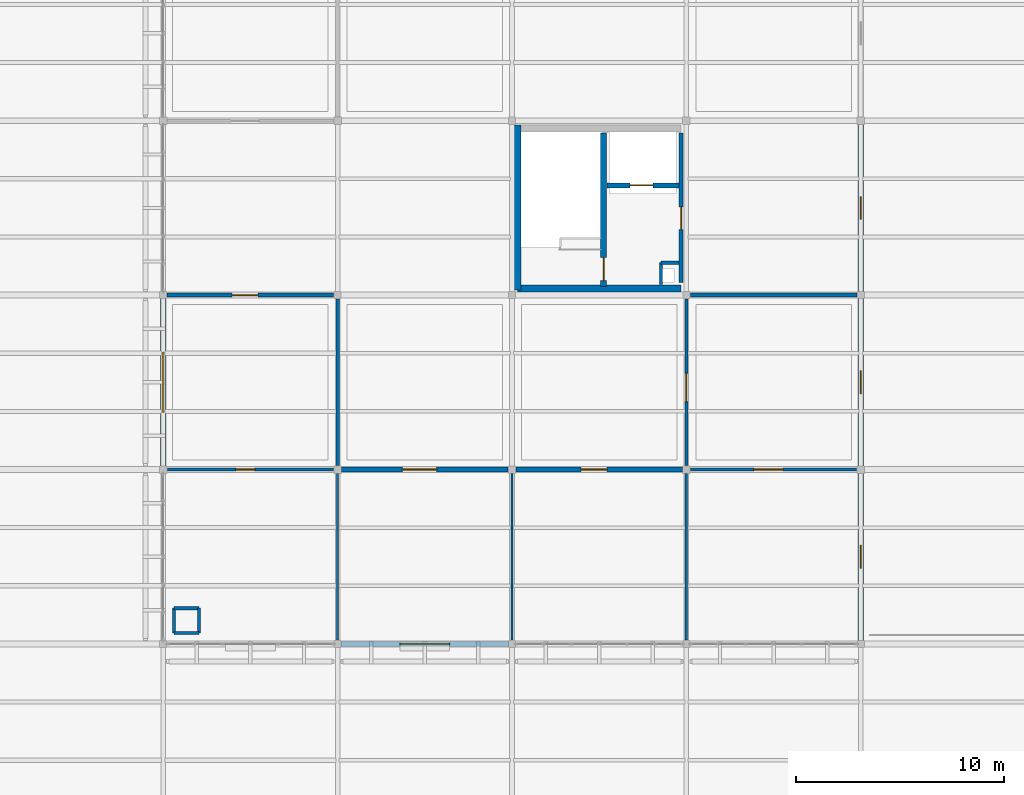
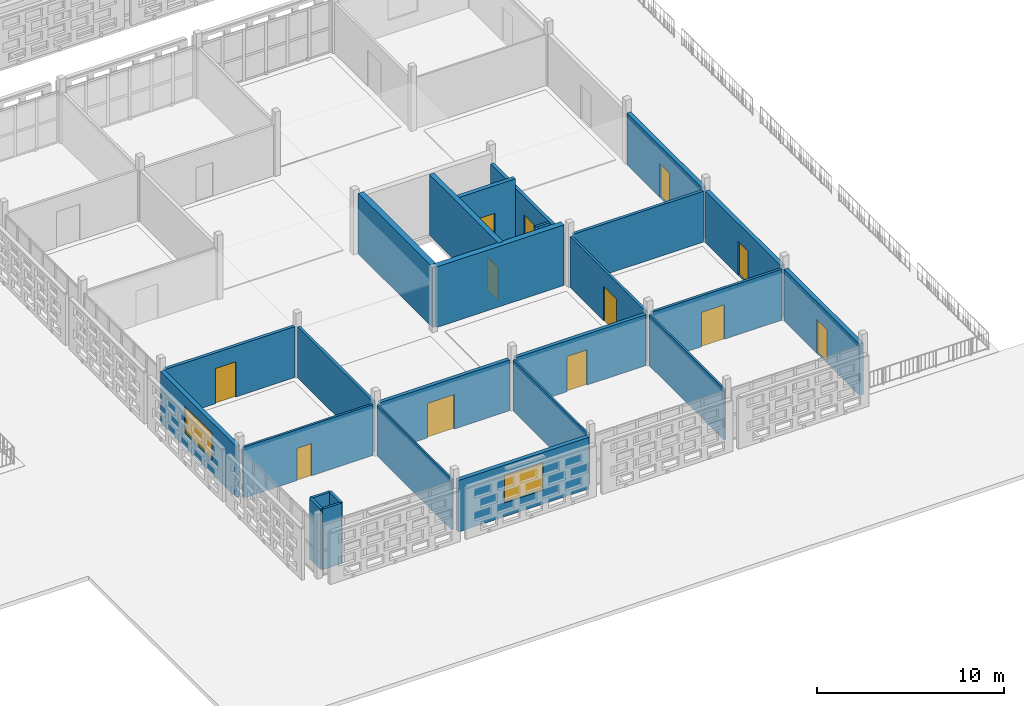
# One storey, part 103 of 166: 27 walls, 12 doors, 2 windows, 14 openings.
"""IFC4 building model written with IfcOpenShell, lengths in metres."""

from ifc_helpers import new_model, si_unit, direction, frame, frame_2d, origin, place, context, subcontext, project, spatial, rectangle, extrude, material, layer, layer_set, type_object, element, fill, save


model = new_model("IFC4")

# Units and contexts
model_context = context("Model", 3, precision=1e-05, world=origin(), true_north=direction((0.0, 1.0)))
body_context = subcontext(model_context, "Body", "Model", "MODEL_VIEW")
ifc_project = project(units=[si_unit("LENGTHUNIT", "METRE"), si_unit("AREAUNIT", "SQUARE_METRE"), si_unit("VOLUMEUNIT", "CUBIC_METRE"), si_unit("PLANEANGLEUNIT", "RADIAN"), si_unit("MASSUNIT", "GRAM", prefix="KILO")], contexts=[model_context])

# Site, building, storey
site_placement = place(None, origin())
site = spatial("IfcSite", under=ifc_project, at=site_placement, CompositionType="ELEMENT")
building_placement = place(site_placement, origin())
building = spatial("IfcBuilding", under=site, at=building_placement, Name="Varnapada Polytechnic", CompositionType="ELEMENT")
storey_placement = place(building_placement, frame((0.0, 0.0, 9.60009765625)))
storey = spatial("IfcBuildingStorey", under=building, at=storey_placement, Name="L02", CompositionType="ELEMENT", Elevation=9.60009765625)

# Wall, opening, door
ifc_material_1 = material(Name="Autoclaved Aerated Concrete Block AAC-600", Category="concrete")
ifc_layer_1 = layer(ifc_material_1, 0.199951171875)
ifc_layer_set_1 = layer_set([ifc_layer_1], Name="Autoclaved Aerated Concrete Block AAC-600")
wall_type_1 = type_object("IfcWallType", Name="Interior Wall IW-01", PredefinedType="PARTITIONING", material=ifc_layer_set_1)
wall_1_placement = place(storey_placement, frame((159.340087890625, 33.0, 0.0), z_axis=(0.0, 0.0, 1.0), x_axis=(0.0, -1.0, 0.0)))
wall_1 = element("IfcWall", 1, at=wall_1_placement, inside=storey, type_object=wall_type_1, Name="L02 C6 firefighting lobby east wall", PredefinedType="PARTITIONING", context=body_context, shape_type="SweptSolid", body=[
    extrude(rectangle(XDim=7.199951171875, YDim=0.199951171875, at=frame_2d((3.60009765625, 0.0))), origin(), (0.0, 0.0, 1.0), 3.31982421875),
])
opening_1_placement = place(wall_1_placement, frame((3.550048828125, 0.0, 0.0)))
opening_1 = element("IfcOpeningElement", 2, at=opening_1_placement, cuts=wall_1, Name="Opening D-1092", PredefinedType="OPENING", context=body_context, shape_type="SweptSolid", body=[
    extrude(rectangle(XDim=1.10009765625, YDim=2.14990234375, at=frame_2d((0.550048828125, 1.074951171875))), frame((0.0, 0.10986328125, 0.0), z_axis=(0.0, -1.0, 0.0), x_axis=(1.0, 0.0, 0.0)), (0.0, 0.0, 1.0), 0.219970703125),
])
ifc_material_2 = material(Name="Galvanized Steel Z275", Category="steel")
door_type_1 = type_object("IfcDoorType", Name="Interior Door ID-01", OperationType="NOTDEFINED", PredefinedType="DOOR", material=ifc_material_2)
door_1_placement = place(opening_1_placement, frame((1.10009765625, 0.0, 0.0), z_axis=(0.0, 0.0, 1.0), x_axis=(-1.0, 0.0, 0.0)))
door_1 = element("IfcDoor", 3, at=door_1_placement, inside=storey, type_object=door_type_1, Name="L02 C6 lobby fire door D-1092", OperationType="SINGLE_SWING_RIGHT", OverallHeight=2.14990234375, OverallWidth=1.10009765625, PredefinedType="DOOR", context=body_context, shape_type="SweptSolid", body=[
    extrude(rectangle(XDim=1.10009765625, YDim=2.14990234375, at=frame_2d((0.550048828125, 1.074951171875))), frame((0.0, 0.02490234375, 0.0), z_axis=(0.0, -1.0, 0.0), x_axis=(1.0, 0.0, 0.0)), (0.0, 0.0, 1.0), 0.050048828125),
])
fill(opening_1, door_1)

# Walls
ifc_layer_2 = layer(ifc_material_1, 0.14990234375)
ifc_layer_set_2 = layer_set([ifc_layer_2], Name="Autoclaved Aerated Concrete Block AAC-600")
wall_type_2 = type_object("IfcWallType", Name="Interior Wall IW-02", PredefinedType="PARTITIONING", material=ifc_layer_set_2)
wall_2_placement = place(storey_placement, frame((158.3798828125, 26.760009765625, 0.0), z_axis=(0.0, 0.0, 1.0), x_axis=(0.0, -1.0, 0.0)))
element("IfcWall", 4, at=wall_2_placement, inside=storey, type_object=wall_type_2, Name="L02 C6 riser shaft west wall", PredefinedType="PARTITIONING", context=body_context, shape_type="SweptSolid", body=[
    extrude(rectangle(XDim=1.06005859375, YDim=0.14990234375, at=frame_2d((0.530029296875, 0.0))), origin(), (0.0, 0.0, 1.0), 3.31982421875),
])
wall_3_placement = place(storey_placement, frame((158.3798828125, 26.760009765625, 0.0), z_axis=(0.0, 0.0, 1.0), x_axis=(1.0, 0.0, 0.0)))
element("IfcWall", 5, at=wall_3_placement, inside=storey, type_object=wall_type_2, Name="L02 C6 riser shaft north wall", PredefinedType="PARTITIONING", context=body_context, shape_type="SweptSolid", body=[
    extrude(rectangle(XDim=0.860107421875, YDim=0.14990234375, at=frame_2d((0.43017578125, 0.0))), origin(), (0.0, 0.0, 1.0), 3.31982421875),
])
for number, where, z_axis, x_axis, name in (
    (6, (134.919921875, 8.919921875, 0.0), (0.0, 0.0, 1.0), (1.0, 0.0, 0.0), "L02 enclosed service riser wall (17,2) S"),
    (7, (136.1201171875, 8.919921875, 0.0), (0.0, 0.0, 1.0), (0.0, 1.0, 0.0), "L02 enclosed service riser wall (17,2) E"),
    (8, (136.1201171875, 10.1201171875, 0.0), (0.0, 0.0, 1.0), (-1.0, 0.0, 0.0), "L02 enclosed service riser wall (17,2) N"),
    (9, (134.919921875, 10.1201171875, 0.0), (0.0, 0.0, 1.0), (0.0, -1.0, 0.0), "L02 enclosed service riser wall (17,2) W"),
):
    element("IfcWall", number, at=place(storey_placement, frame(where, z_axis=z_axis, x_axis=x_axis)), inside=storey, type_object=wall_type_2, Name=name, PredefinedType="PARTITIONING", context=body_context, shape_type="SweptSolid", body=[
        extrude(rectangle(XDim=1.2001953125, YDim=0.14990234375, at=frame_2d((0.60009765625, 0.0))), origin(), (0.0, 0.0, 1.0), 3.949951171875),
    ])

# Wall, opening, door
ifc_material_3 = material(Name="Cross-laminated timber CLT C24", Category="wood")
ifc_layer_3 = layer(ifc_material_3, 0.159912109375)
ifc_layer_set_3 = layer_set([ifc_layer_3], Name="Cross-laminated timber CLT C24")
wall_type_3 = type_object("IfcWallType", Name="Interior Wall IW-05", PredefinedType="PARTITIONING", material=ifc_layer_set_3)
wall_4_placement = place(storey_placement, frame((159.800048828125, 16.800048828125, 0.0), z_axis=(0.0, 0.0, 1.0), x_axis=(1.0, 0.0, 0.0)))
wall_4 = element("IfcWall", 10, at=wall_4_placement, inside=storey, type_object=wall_type_3, Name="L02 interior partition IW-L02-19-01-H", PredefinedType="PARTITIONING", context=body_context, shape_type="SweptSolid", body=[
    extrude(rectangle(XDim=8.0, YDim=0.159912109375, at=frame_2d((4.0, 0.0))), origin(), (0.0, 0.0, 1.0), 3.31982421875),
])
opening_2_placement = place(wall_4_placement, frame((3.050048828125, 0.0, 0.0)))
opening_2 = element("IfcOpeningElement", 11, at=opening_2_placement, cuts=wall_4, Name="Opening D-1177", PredefinedType="OPENING", context=body_context, shape_type="SweptSolid", body=[
    extrude(rectangle(XDim=1.39990234375, YDim=2.25, at=frame_2d((0.699951171875, 1.125))), frame((0.0, 0.08984375, 0.0), z_axis=(0.0, -1.0, 0.0), x_axis=(1.0, 0.0, 0.0)), (0.0, 0.0, 1.0), 0.179931640625),
])
ifc_material_4 = material(Name="Powder-Coated Aluminium 6063-T6", Category="aluminium")
door_type_2 = type_object("IfcDoorType", Name="Interior Door ID-06", OperationType="NOTDEFINED", PredefinedType="DOOR", material=ifc_material_4)
door_2_placement = place(opening_2_placement, origin())
door_2 = element("IfcDoor", 12, at=door_2_placement, inside=storey, type_object=door_type_2, Name="L02 interior room door D-1177", OperationType="SINGLE_SWING_RIGHT", OverallHeight=2.25, OverallWidth=1.39990234375, PredefinedType="DOOR", context=body_context, shape_type="SweptSolid", body=[
    extrude(rectangle(XDim=1.39990234375, YDim=2.25, at=frame_2d((0.699951171875, 1.125))), frame((0.0, 0.02490234375, 0.0), z_axis=(0.0, -1.0, 0.0), x_axis=(1.0, 0.0, 0.0)), (0.0, 0.0, 1.0), 0.050048828125),
])
fill(opening_2, door_2)

# Walls
ifc_material_5 = material(Name="Acoustic Double-Stud Studio Partition")
ifc_layer_4 = layer(ifc_material_5, 0.179931640625)
ifc_layer_set_4 = layer_set([ifc_layer_4], Name="Acoustic Double-Stud Studio Partition")
wall_type_4 = type_object("IfcWallType", Name="Interior Wall IW-06", PredefinedType="PARTITIONING", material=ifc_layer_set_4)
wall_5_placement = place(storey_placement, frame((159.7900390625, 25.199951171875, 0.0), z_axis=(0.0, 0.0, 1.0), x_axis=(1.0, 0.0, 0.0)))
element("IfcWall", 13, at=wall_5_placement, inside=storey, type_object=wall_type_4, Name="L02 interior partition IW-L02-19-02-H", PredefinedType="PARTITIONING", context=body_context, shape_type="SweptSolid", body=[
    extrude(rectangle(XDim=8.02001953125, YDim=0.179931640625, at=frame_2d((4.010009765625, 0.0))), origin(), (0.0, 0.0, 1.0), 3.31982421875),
])
ifc_material_6 = material(Name="Operable Acoustic Seminar Partition")
ifc_layer_5 = layer(ifc_material_6, 0.10009765625)
ifc_layer_set_5 = layer_set([ifc_layer_5], Name="Operable Acoustic Seminar Partition")
wall_type_5 = type_object("IfcWallType", Name="Interior Wall IW-08", PredefinedType="MOVABLE", material=ifc_layer_set_5)
wall_6_placement = place(storey_placement, frame((142.800048828125, 8.590087890625, 0.0), z_axis=(0.0, 0.0, 1.0), x_axis=(0.0, 1.0, 0.0)))
element("IfcWall", 14, at=wall_6_placement, inside=storey, type_object=wall_type_5, Name="L02 interior partition IW-L02-16-01-V", PredefinedType="MOVABLE", context=body_context, shape_type="SweptSolid", body=[
    extrude(rectangle(XDim=8.010009765625, YDim=0.10009765625, at=frame_2d((4.0048828125, 0.0))), origin(), (0.0, 0.0, 1.0), 3.31982421875),
])

# Wall, opening, door
ifc_material_7 = material(Name="Calcium Silicate Acoustic Lab Partition")
ifc_layer_6 = layer(ifc_material_7, 0.135009765625)
ifc_layer_set_6 = layer_set([ifc_layer_6], Name="Calcium Silicate Acoustic Lab Partition")
wall_type_6 = type_object("IfcWallType", Name="Interior Wall IW-09", PredefinedType="PARTITIONING", material=ifc_layer_set_6)
wall_7_placement = place(storey_placement, frame((134.60009765625, 16.800048828125, 0.0), z_axis=(0.0, 0.0, 1.0), x_axis=(1.0, 0.0, 0.0)))
wall_7 = element("IfcWall", 15, at=wall_7_placement, inside=storey, type_object=wall_type_6, Name="L02 interior partition IW-L02-16-01-H", PredefinedType="PARTITIONING", context=body_context, shape_type="SweptSolid", body=[
    extrude(rectangle(XDim=8.0, YDim=0.135009765625, at=frame_2d((4.0, 0.0))), origin(), (0.0, 0.0, 1.0), 3.31982421875),
])
opening_3_placement = place(wall_7_placement, frame((3.300048828125, 0.0, 0.0)))
opening_3 = element("IfcOpeningElement", 16, at=opening_3_placement, cuts=wall_7, Name="Opening D-1152", PredefinedType="OPENING", context=body_context, shape_type="SweptSolid", body=[
    extrude(rectangle(XDim=0.89990234375, YDim=2.10009765625, at=frame_2d((0.449951171875, 1.050048828125))), frame((0.0, 0.077392578125, 0.0), z_axis=(0.0, -1.0, 0.0), x_axis=(1.0, 0.0, 0.0)), (0.0, 0.0, 1.0), 0.155029296875),
])
ifc_material_8 = material(Name="Moisture-Resistant HPL Timber", Category="wood")
door_type_3 = type_object("IfcDoorType", Name="Interior Door ID-15", OperationType="NOTDEFINED", PredefinedType="DOOR", material=ifc_material_8)
door_3_placement = place(opening_3_placement, origin())
door_3 = element("IfcDoor", 17, at=door_3_placement, inside=storey, type_object=door_type_3, Name="L02 interior room door D-1152", OperationType="SINGLE_SWING_LEFT", OverallHeight=2.10009765625, OverallWidth=0.89990234375, PredefinedType="DOOR", context=body_context, shape_type="SweptSolid", body=[
    extrude(rectangle(XDim=0.89990234375, YDim=2.10009765625, at=frame_2d((0.449951171875, 1.050048828125))), frame((0.0, 0.02490234375, 0.0), z_axis=(0.0, -1.0, 0.0), x_axis=(1.0, 0.0, 0.0)), (0.0, 0.0, 1.0), 0.050048828125),
])
fill(opening_3, door_3)

# Wall
ifc_material_9 = material(Name="Double-Layer Fireboard Workshop Wall")
ifc_layer_7 = layer(ifc_material_9, 0.169921875)
ifc_layer_set_7 = layer_set([ifc_layer_7], Name="Double-Layer Fireboard Workshop Wall")
wall_type_7 = type_object("IfcWallType", Name="Interior Wall IW-10", PredefinedType="PARTITIONING", material=ifc_layer_set_7)
wall_8_placement = place(storey_placement, frame((142.800048828125, 17.0, 0.0), z_axis=(0.0, 0.0, 1.0), x_axis=(0.0, 1.0, 0.0)))
element("IfcWall", 18, at=wall_8_placement, inside=storey, type_object=wall_type_7, Name="L02 interior partition IW-L02-16-02-V", PredefinedType="PARTITIONING", context=body_context, shape_type="SweptSolid", body=[
    extrude(rectangle(XDim=8.010009765625, YDim=0.169921875, at=frame_2d((4.0048828125, 0.0))), origin(), (0.0, 0.0, 1.0), 3.31982421875),
])

# Wall, opening, door
ifc_material_10 = material(Name="Insulated Masonry Plant Room Wall", Category="masonry")
ifc_layer_8 = layer(ifc_material_10, 0.18994140625)
ifc_layer_set_8 = layer_set([ifc_layer_8], Name="Insulated Masonry Plant Room Wall")
wall_type_8 = type_object("IfcWallType", Name="Interior Wall IW-11", PredefinedType="PARTITIONING", material=ifc_layer_set_8)
wall_9_placement = place(storey_placement, frame((134.590087890625, 25.199951171875, 0.0), z_axis=(0.0, 0.0, 1.0), x_axis=(1.0, 0.0, 0.0)))
wall_9 = element("IfcWall", 19, at=wall_9_placement, inside=storey, type_object=wall_type_8, Name="L02 interior partition IW-L02-16-02-H", PredefinedType="PARTITIONING", context=body_context, shape_type="SweptSolid", body=[
    extrude(rectangle(XDim=8.02001953125, YDim=0.18994140625, at=frame_2d((4.010009765625, 0.0))), origin(), (0.0, 0.0, 1.0), 3.31982421875),
])
opening_4_placement = place(wall_9_placement, frame((3.125, 0.0, 0.0)))
opening_4 = element("IfcOpeningElement", 20, at=opening_4_placement, cuts=wall_9, Name="Opening D-1153", PredefinedType="OPENING", context=body_context, shape_type="SweptSolid", body=[
    extrude(rectangle(XDim=1.25, YDim=2.300048828125, at=frame_2d((0.625, 1.14990234375))), frame((0.0, 0.10498046875, 0.0), z_axis=(0.0, -1.0, 0.0), x_axis=(1.0, 0.0, 0.0)), (0.0, 0.0, 1.0), 0.2099609375),
])
ifc_material_11 = material(Name="Solid Teak Hardwood Timber", Category="wood")
door_type_4 = type_object("IfcDoorType", Name="Interior Door ID-16", OperationType="NOTDEFINED", PredefinedType="DOOR", material=ifc_material_11)
door_4_placement = place(opening_4_placement, origin())
door_4 = element("IfcDoor", 21, at=door_4_placement, inside=storey, type_object=door_type_4, Name="L02 interior room door D-1153", OperationType="SINGLE_SWING_RIGHT", OverallHeight=2.300048828125, OverallWidth=1.25, PredefinedType="DOOR", context=body_context, shape_type="SweptSolid", body=[
    extrude(rectangle(XDim=1.25, YDim=2.300048828125, at=frame_2d((0.625, 1.14990234375))), frame((0.0, 0.02490234375, 0.0), z_axis=(0.0, -1.0, 0.0), x_axis=(1.0, 0.0, 0.0)), (0.0, 0.0, 1.0), 0.050048828125),
])
fill(opening_4, door_4)

# Walls
ifc_material_12 = material(Name="Timber-Stud Studio Critique Partition", Category="wood")
ifc_layer_9 = layer(ifc_material_12, 0.114990234375)
ifc_layer_set_9 = layer_set([ifc_layer_9], Name="Timber-Stud Studio Critique Partition")
wall_type_9 = type_object("IfcWallType", Name="Interior Wall IW-12", PredefinedType="PARTITIONING", material=ifc_layer_set_9)
for number, where, z_axis, x_axis, name in (
    (22, (151.199951171875, 8.590087890625, 0.0), (0.0, 0.0, 1.0), (0.0, 1.0, 0.0), "L02 interior partition IW-L02-17-01-V"),
    (23, (159.60009765625, 8.590087890625, 0.0), (0.0, 0.0, 1.0), (0.0, 1.0, 0.0), "L02 interior partition IW-L02-18-01-V"),
):
    element("IfcWall", number, at=place(storey_placement, frame(where, z_axis=z_axis, x_axis=x_axis)), inside=storey, type_object=wall_type_9, Name=name, PredefinedType="PARTITIONING", context=body_context, shape_type="SweptSolid", body=[
        extrude(rectangle(XDim=8.010009765625, YDim=0.114990234375, at=frame_2d((4.0048828125, 0.0))), origin(), (0.0, 0.0, 1.0), 3.31982421875),
    ])

# Wall, opening, door
ifc_material_13 = material(Name="Heavy Acoustic Auditorium Baffle Wall")
ifc_layer_10 = layer(ifc_material_13, 0.219970703125)
ifc_layer_set_10 = layer_set([ifc_layer_10], Name="Heavy Acoustic Auditorium Baffle Wall")
wall_type_10 = type_object("IfcWallType", Name="Interior Wall IW-13", PredefinedType="PARTITIONING", material=ifc_layer_set_10)
wall_10_placement = place(storey_placement, frame((143.0, 16.800048828125, 0.0), z_axis=(0.0, 0.0, 1.0), x_axis=(1.0, 0.0, 0.0)))
wall_10 = element("IfcWall", 24, at=wall_10_placement, inside=storey, type_object=wall_type_10, Name="L02 interior partition IW-L02-17-01-H", PredefinedType="PARTITIONING", context=body_context, shape_type="SweptSolid", body=[
    extrude(rectangle(XDim=8.0, YDim=0.219970703125, at=frame_2d((4.0, 0.0))), origin(), (0.0, 0.0, 1.0), 3.31982421875),
])
opening_5_placement = place(wall_10_placement, frame((2.925048828125, 0.0, 0.0)))
opening_5 = element("IfcOpeningElement", 25, at=opening_5_placement, cuts=wall_10, Name="Opening D-1162", PredefinedType="OPENING", context=body_context, shape_type="SweptSolid", body=[
    extrude(rectangle(XDim=1.64990234375, YDim=2.25, at=frame_2d((0.824951171875, 1.125))), frame((0.0, 0.119873046875, 0.0), z_axis=(0.0, -1.0, 0.0), x_axis=(1.0, 0.0, 0.0)), (0.0, 0.0, 1.0), 0.239990234375),
])
door_type_5 = type_object("IfcDoorType", Name="Interior Door ID-08", OperationType="NOTDEFINED", PredefinedType="DOOR", material=ifc_material_11)
door_5_placement = place(opening_5_placement, origin())
door_5 = element("IfcDoor", 26, at=door_5_placement, inside=storey, type_object=door_type_5, Name="L02 interior room door D-1162", OperationType="SINGLE_SWING_LEFT", OverallHeight=2.25, OverallWidth=1.64990234375, PredefinedType="DOOR", context=body_context, shape_type="SweptSolid", body=[
    extrude(rectangle(XDim=1.64990234375, YDim=2.25, at=frame_2d((0.824951171875, 1.125))), frame((0.0, 0.02490234375, 0.0), z_axis=(0.0, -1.0, 0.0), x_axis=(1.0, 0.0, 0.0)), (0.0, 0.0, 1.0), 0.050048828125),
])
fill(opening_5, door_5)

wall_11_placement = place(storey_placement, frame((151.39990234375, 16.800048828125, 0.0), z_axis=(0.0, 0.0, 1.0), x_axis=(1.0, 0.0, 0.0)))
wall_11 = element("IfcWall", 27, at=wall_11_placement, inside=storey, type_object=wall_type_10, Name="L02 interior partition IW-L02-18-01-H", PredefinedType="PARTITIONING", context=body_context, shape_type="SweptSolid", body=[
    extrude(rectangle(XDim=8.0, YDim=0.219970703125, at=frame_2d((4.0, 0.0))), origin(), (0.0, 0.0, 1.0), 3.31982421875),
])
opening_6_placement = place(wall_11_placement, frame((3.125, 0.0, 0.0)))
opening_6 = element("IfcOpeningElement", 28, at=opening_6_placement, cuts=wall_11, Name="Opening D-1170", PredefinedType="OPENING", context=body_context, shape_type="SweptSolid", body=[
    extrude(rectangle(XDim=1.25, YDim=2.300048828125, at=frame_2d((0.625, 1.14990234375))), frame((0.0, 0.119873046875, 0.0), z_axis=(0.0, -1.0, 0.0), x_axis=(1.0, 0.0, 0.0)), (0.0, 0.0, 1.0), 0.239990234375),
])
door_6_placement = place(opening_6_placement, origin())
door_6 = element("IfcDoor", 29, at=door_6_placement, inside=storey, type_object=door_type_4, Name="L02 interior room door D-1170", OperationType="SINGLE_SWING_LEFT", OverallHeight=2.300048828125, OverallWidth=1.25, PredefinedType="DOOR", context=body_context, shape_type="SweptSolid", body=[
    extrude(rectangle(XDim=1.25, YDim=2.300048828125, at=frame_2d((0.625, 1.14990234375))), frame((0.0, 0.02490234375, 0.0), z_axis=(0.0, -1.0, 0.0), x_axis=(1.0, 0.0, 0.0)), (0.0, 0.0, 1.0), 0.050048828125),
])
fill(opening_6, door_6)

ifc_material_14 = material(Name="Ceramic-Tiled Wet Laboratory Wall")
ifc_layer_11 = layer(ifc_material_14, 0.14501953125)
ifc_layer_set_11 = layer_set([ifc_layer_11], Name="Ceramic-Tiled Wet Laboratory Wall")
wall_type_11 = type_object("IfcWallType", Name="Interior Wall IW-14", PredefinedType="PARTITIONING", material=ifc_layer_set_11)
wall_12_placement = place(storey_placement, frame((159.60009765625, 17.0, 0.0), z_axis=(0.0, 0.0, 1.0), x_axis=(0.0, 1.0, 0.0)))
wall_12 = element("IfcWall", 30, at=wall_12_placement, inside=storey, type_object=wall_type_11, Name="L02 interior partition IW-L02-18-02-V", PredefinedType="PARTITIONING", context=body_context, shape_type="SweptSolid", body=[
    extrude(rectangle(XDim=8.010009765625, YDim=0.14501953125, at=frame_2d((4.0048828125, 0.0))), origin(), (0.0, 0.0, 1.0), 3.31982421875),
])
opening_7_placement = place(wall_12_placement, frame((3.074951171875, 0.0, 0.0)))
opening_7 = element("IfcOpeningElement", 31, at=opening_7_placement, cuts=wall_12, Name="Opening D-1171", PredefinedType="OPENING", context=body_context, shape_type="SweptSolid", body=[
    extrude(rectangle(XDim=1.35009765625, YDim=2.25, at=frame_2d((0.675048828125, 1.125))), frame((0.0, 0.08251953125, 0.0), z_axis=(0.0, -1.0, 0.0), x_axis=(1.0, 0.0, 0.0)), (0.0, 0.0, 1.0), 0.1650390625),
])
door_type_6 = type_object("IfcDoorType", Name="Interior Door ID-17", OperationType="NOTDEFINED", PredefinedType="DOOR", material=ifc_material_4)
door_7_placement = place(opening_7_placement, origin())
door_7 = element("IfcDoor", 32, at=door_7_placement, inside=storey, type_object=door_type_6, Name="L02 interior room door D-1171", OperationType="SINGLE_SWING_RIGHT", OverallHeight=2.25, OverallWidth=1.35009765625, PredefinedType="DOOR", context=body_context, shape_type="SweptSolid", body=[
    extrude(rectangle(XDim=1.35009765625, YDim=2.25, at=frame_2d((0.675048828125, 1.125))), frame((0.0, 0.02490234375, 0.0), z_axis=(0.0, -1.0, 0.0), x_axis=(1.0, 0.0, 0.0)), (0.0, 0.0, 1.0), 0.050048828125),
])
fill(opening_7, door_7)

# Walls
ifc_material_15 = material(Name="Concrete C40/50", Category="concrete")
ifc_layer_12 = layer(ifc_material_15, 0.35009765625)
ifc_layer_set_12 = layer_set([ifc_layer_12], Name="Concrete C40/50")
wall_type_12 = type_object("IfcWallType", Name="Interior Wall SW-01", PredefinedType="SHEAR", material=ifc_layer_set_12)
wall_13_placement = place(storey_placement, frame((151.465087890625, 25.449951171875, 0.0), z_axis=(0.0, 0.0, 1.0), x_axis=(0.0, 1.0, 0.0)))
element("IfcWall", 33, at=wall_13_placement, inside=storey, type_object=wall_type_12, Name="L02 C6 stair west shear wall", PredefinedType="SHEAR", context=body_context, shape_type="SweptSolid", body=[
    extrude(rectangle(XDim=7.93994140625, YDim=0.35009765625, at=frame_2d((3.969970703125, 0.0))), origin(), (0.0, 0.0, 1.0), 3.949951171875),
])
wall_14_placement = place(storey_placement, frame((159.340087890625, 25.52001953125, 0.0), z_axis=(0.0, 0.0, 1.0), x_axis=(-1.0, 0.0, 0.0)))
element("IfcWall", 34, at=wall_14_placement, inside=storey, type_object=wall_type_12, Name="L02 C6 core south shear wall", PredefinedType="SHEAR", context=body_context, shape_type="SweptSolid", body=[
    extrude(rectangle(XDim=7.875, YDim=0.35009765625, at=frame_2d((3.9375, 0.0))), origin(), (0.0, 0.0, 1.0), 3.949951171875),
])

# Wall, opening, door
ifc_layer_13 = layer(ifc_material_15, 0.300048828125)
ifc_layer_set_13 = layer_set([ifc_layer_13], Name="Concrete C40/50")
wall_type_13 = type_object("IfcWallType", Name="Interior Wall SW-02", PredefinedType="SHEAR", material=ifc_layer_set_13)
wall_15_placement = place(storey_placement, frame((155.610107421875, 25.6201171875, 0.0), z_axis=(0.0, 0.0, 1.0), x_axis=(0.0, 1.0, 0.0)))
wall_15 = element("IfcWall", 35, at=wall_15_placement, inside=storey, type_object=wall_type_13, Name="L02 C6 stair-lobby dividing shear wall", PredefinedType="SHEAR", context=body_context, shape_type="SweptSolid", body=[
    extrude(rectangle(XDim=7.3798828125, YDim=0.300048828125, at=frame_2d((3.68994140625, 0.0))), origin(), (0.0, 0.0, 1.0), 3.949951171875),
])
opening_8_placement = place(wall_15_placement, frame((0.280029296875, 0.0, 0.0)))
opening_8 = element("IfcOpeningElement", 36, at=opening_8_placement, cuts=wall_15, Name="Opening D-1093", PredefinedType="OPENING", context=body_context, shape_type="SweptSolid", body=[
    extrude(rectangle(XDim=1.10009765625, YDim=2.14990234375, at=frame_2d((0.550048828125, 1.074951171875))), frame((0.0, 0.159912109375, 0.0), z_axis=(0.0, -1.0, 0.0), x_axis=(1.0, 0.0, 0.0)), (0.0, 0.0, 1.0), 0.320068359375),
])
door_8_placement = place(opening_8_placement, origin())
door_8 = element("IfcDoor", 37, at=door_8_placement, inside=storey, type_object=door_type_1, Name="L02 C6 exit stair door D-1093", OperationType="SINGLE_SWING_RIGHT", OverallHeight=2.14990234375, OverallWidth=1.10009765625, PredefinedType="DOOR", context=body_context, shape_type="SweptSolid", body=[
    extrude(rectangle(XDim=1.10009765625, YDim=2.14990234375, at=frame_2d((0.550048828125, 1.074951171875))), frame((0.0, 0.02490234375, 0.0), z_axis=(0.0, -1.0, 0.0), x_axis=(1.0, 0.0, 0.0)), (0.0, 0.0, 1.0), 0.050048828125),
])
fill(opening_8, door_8)

ifc_layer_14 = layer(ifc_material_15, 0.25)
ifc_layer_set_14 = layer_set([ifc_layer_14], Name="Concrete C40/50")
wall_type_14 = type_object("IfcWallType", Name="Interior Wall SW-05", PredefinedType="SHEAR", material=ifc_layer_set_14)
wall_16_placement = place(storey_placement, frame((155.780029296875, 30.47998046875, 0.0), z_axis=(0.0, 0.0, 1.0), x_axis=(1.0, 0.0, 0.0)))
wall_16 = element("IfcWall", 38, at=wall_16_placement, inside=storey, type_object=wall_type_14, Name="L02 C6 lift shaft front wall", PredefinedType="SHEAR", context=body_context, shape_type="SweptSolid", body=[
    extrude(rectangle(XDim=3.4599609375, YDim=0.25, at=frame_2d((1.72998046875, 0.0))), origin(), (0.0, 0.0, 1.0), 3.949951171875),
])
opening_9_placement = place(wall_16_placement, frame((1.10009765625, 0.0, 0.0)))
opening_9 = element("IfcOpeningElement", 39, at=opening_9_placement, cuts=wall_16, Name="Opening LD-023", PredefinedType="OPENING", context=body_context, shape_type="SweptSolid", body=[
    extrude(rectangle(XDim=1.10009765625, YDim=2.14990234375, at=frame_2d((0.550048828125, 1.074951171875))), frame((0.0, 0.135009765625, 0.0), z_axis=(0.0, -1.0, 0.0), x_axis=(1.0, 0.0, 0.0)), (0.0, 0.0, 1.0), 0.27001953125),
])
ifc_material_16 = material(Name="Brushed Stainless Steel 316", Category="steel")
door_type_7 = type_object("IfcDoorType", Name="Interior Door LD-01", OperationType="NOTDEFINED", PredefinedType="DOOR", material=ifc_material_16)
door_9_placement = place(opening_9_placement, origin())
door_9 = element("IfcDoor", 40, at=door_9_placement, inside=storey, type_object=door_type_7, Name="L02 LFT-06 sliding lift landing door LD-023", OperationType="DOUBLE_DOOR_SLIDING", OverallHeight=2.14990234375, OverallWidth=1.10009765625, PredefinedType="DOOR", context=body_context, shape_type="SweptSolid", body=[
    extrude(rectangle(XDim=1.10009765625, YDim=2.14990234375, at=frame_2d((0.550048828125, 1.074951171875))), frame((0.0, 0.02490234375, 0.0), z_axis=(0.0, -1.0, 0.0), x_axis=(1.0, 0.0, 0.0)), (0.0, 0.0, 1.0), 0.050048828125),
])
fill(opening_9, door_9)

# Wall, opening, window
ifc_material_17 = material(Name="Precast concrete C40/50", Category="concrete")
ifc_layer_15 = layer(ifc_material_17, 0.25)
ifc_layer_set_15 = layer_set([ifc_layer_15], Name="Precast concrete C40/50")
wall_type_15 = type_object("IfcWallType", Name="Wall EW-05", PredefinedType="SOLIDWALL", material=ifc_layer_set_15)
wall_17_placement = place(storey_placement, frame((134.39990234375, 16.97998046875, 0.0), z_axis=(0.0, 0.0, 1.0), x_axis=(0.0, 1.0, 0.0)))
wall_17 = element("IfcWall", 41, at=wall_17_placement, inside=storey, type_object=wall_type_15, Name="L02 exterior wall EW-05 (81)", PredefinedType="SOLIDWALL", context=body_context, shape_type="SweptSolid", body=[
    extrude(rectangle(XDim=8.050048828125, YDim=0.25, at=frame_2d((4.02490234375, 0.0))), origin(), (0.0, 0.0, 1.0), 3.35986328125),
])
opening_10_placement = place(wall_17_placement, frame((2.574951171875, 0.0, 0.89990234375)))
opening_10 = element("IfcOpeningElement", 42, at=opening_10_placement, cuts=wall_17, Name="Opening WN-36", PredefinedType="OPENING", context=body_context, shape_type="SweptSolid", body=[
    extrude(rectangle(XDim=2.89990234375, YDim=1.75, at=frame_2d((1.449951171875, 0.875))), frame((0.0, 0.135009765625, 0.0), z_axis=(0.0, -1.0, 0.0), x_axis=(1.0, 0.0, 0.0)), (0.0, 0.0, 1.0), 0.27001953125),
])
ifc_material_18 = material(Name="Double low-E laminated glass", Category="glass")
window_type_1 = type_object("IfcWindowType", Name="Window WN-36", PartitioningType="SINGLE_PANEL", PredefinedType="WINDOW", material=ifc_material_18)
window_1_placement = place(opening_10_placement, origin())
window_1 = element("IfcWindow", 43, at=window_1_placement, inside=storey, type_object=window_type_1, Name="L02 window WN-36 (122)", OverallHeight=1.75, OverallWidth=2.89990234375, PartitioningType="SINGLE_PANEL", PredefinedType="WINDOW", context=body_context, shape_type="SweptSolid", body=[
    extrude(rectangle(XDim=2.89990234375, YDim=1.75, at=frame_2d((1.449951171875, 0.875))), frame((0.0, 0.030029296875, 0.0), z_axis=(0.0, -1.0, 0.0), x_axis=(1.0, 0.0, 0.0)), (0.0, 0.0, 1.0), 0.06005859375),
])
fill(opening_10, window_1)

wall_18_placement = place(storey_placement, frame((151.030029296875, 8.39990234375, 0.0), z_axis=(0.0, 0.0, 1.0), x_axis=(-1.0, 0.0, 0.0)))
wall_18 = element("IfcWall", 44, at=wall_18_placement, inside=storey, type_object=wall_type_15, Name="L02 exterior wall EW-05 (91)", PredefinedType="SOLIDWALL", context=body_context, shape_type="SweptSolid", body=[
    extrude(rectangle(XDim=8.06005859375, YDim=0.25, at=frame_2d((4.030029296875, 0.0))), origin(), (0.0, 0.0, 1.0), 3.35986328125),
])
opening_11_placement = place(wall_18_placement, frame((2.830078125, 0.0, 0.89990234375)))
opening_11 = element("IfcOpeningElement", 45, at=opening_11_placement, cuts=wall_18, Name="Opening WN-02", PredefinedType="OPENING", context=body_context, shape_type="SweptSolid", body=[
    extrude(rectangle(XDim=2.39990234375, YDim=1.800048828125, at=frame_2d((1.199951171875, 0.89990234375))), frame((0.0, 0.135009765625, 0.0), z_axis=(0.0, -1.0, 0.0), x_axis=(1.0, 0.0, 0.0)), (0.0, 0.0, 1.0), 0.27001953125),
])
window_type_2 = type_object("IfcWindowType", Name="Window WN-02", PartitioningType="SINGLE_PANEL", PredefinedType="WINDOW", material=ifc_material_18)
window_2_placement = place(opening_11_placement, origin())
window_2 = element("IfcWindow", 46, at=window_2_placement, inside=storey, type_object=window_type_2, Name="L02 window WN-02 (123)", OverallHeight=1.800048828125, OverallWidth=2.39990234375, PartitioningType="SINGLE_PANEL", PredefinedType="WINDOW", context=body_context, shape_type="SweptSolid", body=[
    extrude(rectangle(XDim=2.39990234375, YDim=1.800048828125, at=frame_2d((1.199951171875, 0.89990234375))), frame((0.0, 0.030029296875, 0.0), z_axis=(0.0, -1.0, 0.0), x_axis=(1.0, 0.0, 0.0)), (0.0, 0.0, 1.0), 0.06005859375),
])
fill(opening_11, window_2)

# Wall, opening, door
wall_19_placement = place(storey_placement, frame((168.0, 16.6201171875, 0.0), z_axis=(0.0, 0.0, 1.0), x_axis=(0.0, -1.0, 0.0)))
wall_19 = element("IfcWall", 47, at=wall_19_placement, inside=storey, type_object=wall_type_15, Name="L02 exterior wall EW-05 (100)", PredefinedType="SOLIDWALL", context=body_context, shape_type="SweptSolid", body=[
    extrude(rectangle(XDim=8.050048828125, YDim=0.25, at=frame_2d((4.02490234375, 0.0))), origin(), (0.0, 0.0, 1.0), 3.35986328125),
])
opening_12_placement = place(wall_19_placement, frame((3.47509765625, 0.0, 0.0)))
opening_12 = element("IfcOpeningElement", 48, at=opening_12_placement, cuts=wall_19, Name="Opening D-030", PredefinedType="OPENING", context=body_context, shape_type="SweptSolid", body=[
    extrude(rectangle(XDim=1.10009765625, YDim=2.199951171875, at=frame_2d((0.550048828125, 1.10009765625))), frame((0.0, 0.135009765625, 0.0), z_axis=(0.0, -1.0, 0.0), x_axis=(1.0, 0.0, 0.0)), (0.0, 0.0, 1.0), 0.27001953125),
])
ifc_material_19 = material(Name="Anodised aluminium and laminated glass", Category="aluminium")
door_type_8 = type_object("IfcDoorType", Name="Exterior Door ED-03", OperationType="NOTDEFINED", PredefinedType="DOOR", material=ifc_material_19)
door_10_placement = place(opening_12_placement, origin())
door_10 = element("IfcDoor", 49, at=door_10_placement, inside=storey, type_object=door_type_8, Name="L02 roof terrace access door D-030", OperationType="SINGLE_SWING_RIGHT", OverallHeight=2.199951171875, OverallWidth=1.10009765625, PredefinedType="DOOR", context=body_context, shape_type="SweptSolid", body=[
    extrude(rectangle(XDim=1.10009765625, YDim=2.199951171875, at=frame_2d((0.550048828125, 1.10009765625))), frame((0.0, 0.02490234375, 0.0), z_axis=(0.0, -1.0, 0.0), x_axis=(1.0, 0.0, 0.0)), (0.0, 0.0, 1.0), 0.050048828125),
])
fill(opening_12, door_10)

wall_20_placement = place(storey_placement, frame((168.0, 25.030029296875, 0.0), z_axis=(0.0, 0.0, 1.0), x_axis=(0.0, -1.0, 0.0)))
wall_20 = element("IfcWall", 50, at=wall_20_placement, inside=storey, type_object=wall_type_15, Name="L02 exterior wall EW-05 (101)", PredefinedType="SOLIDWALL", context=body_context, shape_type="SweptSolid", body=[
    extrude(rectangle(XDim=8.050048828125, YDim=0.25, at=frame_2d((4.02490234375, 0.0))), origin(), (0.0, 0.0, 1.0), 3.35986328125),
])
opening_13_placement = place(wall_20_placement, frame((3.47509765625, 0.0, 0.0)))
opening_13 = element("IfcOpeningElement", 51, at=opening_13_placement, cuts=wall_20, Name="Opening D-031", PredefinedType="OPENING", context=body_context, shape_type="SweptSolid", body=[
    extrude(rectangle(XDim=1.10009765625, YDim=2.199951171875, at=frame_2d((0.550048828125, 1.10009765625))), frame((0.0, 0.135009765625, 0.0), z_axis=(0.0, -1.0, 0.0), x_axis=(1.0, 0.0, 0.0)), (0.0, 0.0, 1.0), 0.27001953125),
])
door_11_placement = place(opening_13_placement, origin())
door_11 = element("IfcDoor", 52, at=door_11_placement, inside=storey, type_object=door_type_8, Name="L02 roof terrace access door D-031", OperationType="SINGLE_SWING_LEFT", OverallHeight=2.199951171875, OverallWidth=1.10009765625, PredefinedType="DOOR", context=body_context, shape_type="SweptSolid", body=[
    extrude(rectangle(XDim=1.10009765625, YDim=2.199951171875, at=frame_2d((0.550048828125, 1.10009765625))), frame((0.0, 0.02490234375, 0.0), z_axis=(0.0, -1.0, 0.0), x_axis=(1.0, 0.0, 0.0)), (0.0, 0.0, 1.0), 0.050048828125),
])
fill(opening_13, door_11)

wall_21_placement = place(storey_placement, frame((168.0, 33.419921875, 0.0), z_axis=(0.0, 0.0, 1.0), x_axis=(0.0, -1.0, 0.0)))
wall_21 = element("IfcWall", 53, at=wall_21_placement, inside=storey, type_object=wall_type_15, Name="L02 exterior wall EW-05 (102)", PredefinedType="SOLIDWALL", context=body_context, shape_type="SweptSolid", body=[
    extrude(rectangle(XDim=8.0498046875, YDim=0.25, at=frame_2d((4.02490234375, 0.0))), origin(), (0.0, 0.0, 1.0), 3.35986328125),
])
opening_14_placement = place(wall_21_placement, frame((3.47509765625, 0.0, 0.0)))
opening_14 = element("IfcOpeningElement", 54, at=opening_14_placement, cuts=wall_21, Name="Opening D-032", PredefinedType="OPENING", context=body_context, shape_type="SweptSolid", body=[
    extrude(rectangle(XDim=1.10009765625, YDim=2.199951171875, at=frame_2d((0.550048828125, 1.10009765625))), frame((0.0, 0.135009765625, 0.0), z_axis=(0.0, -1.0, 0.0), x_axis=(1.0, 0.0, 0.0)), (0.0, 0.0, 1.0), 0.27001953125),
])
door_12_placement = place(opening_14_placement, origin())
door_12 = element("IfcDoor", 55, at=door_12_placement, inside=storey, type_object=door_type_8, Name="L02 roof terrace access door D-032", OperationType="SINGLE_SWING_RIGHT", OverallHeight=2.199951171875, OverallWidth=1.10009765625, PredefinedType="DOOR", context=body_context, shape_type="SweptSolid", body=[
    extrude(rectangle(XDim=1.10009765625, YDim=2.199951171875, at=frame_2d((0.550048828125, 1.10009765625))), frame((0.0, 0.02490234375, 0.0), z_axis=(0.0, -1.0, 0.0), x_axis=(1.0, 0.0, 0.0)), (0.0, 0.0, 1.0), 0.050048828125),
])
fill(opening_14, door_12)

save(model, "model.ifc")
